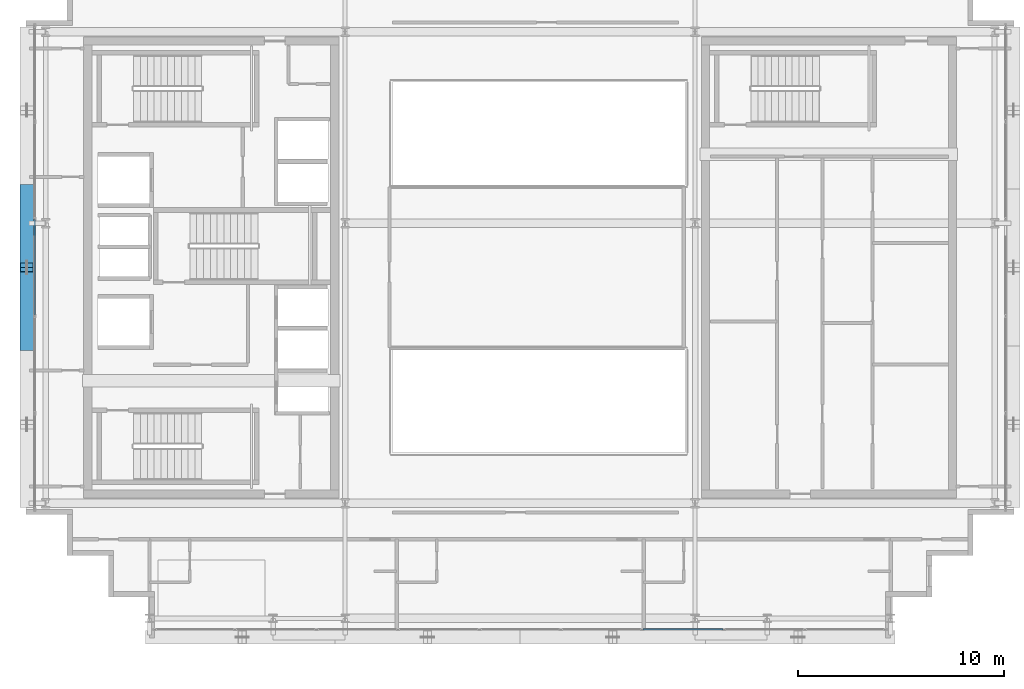
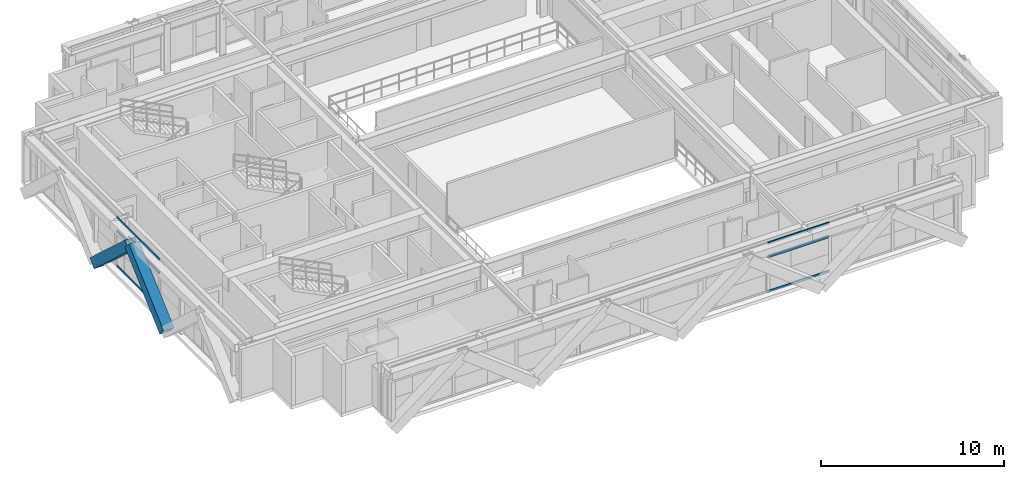
# One storey, part 6 of 28: 8 members, 2 elements without a shape of their own.
"""IFC4 building model written with IfcOpenShell, lengths in metres."""

from ifc_helpers import new_model, si_unit, direction, frame, origin, origin_2d, place, context, subcontext, project, spatial, hollow_rectangle, extrude, source, transform, mapped, material, layer, layer_set, material_profile, profile_set, type_object, element, aggregate, save


model = new_model("IFC4")

# Units and contexts
model_context = context("Model", 3, precision=1e-05, world=origin(), true_north=direction((0.0, 1.0)))
body_context = subcontext(model_context, "Body", "Model", "MODEL_VIEW")
ifc_project = project(units=[si_unit("LENGTHUNIT", "METRE"), si_unit("AREAUNIT", "SQUARE_METRE"), si_unit("VOLUMEUNIT", "CUBIC_METRE"), si_unit("PLANEANGLEUNIT", "RADIAN"), si_unit("MASSUNIT", "GRAM", prefix="KILO")], contexts=[model_context])

# Site, building, storey
site_placement = place(None, origin())
site = spatial("IfcSite", under=ifc_project, at=site_placement, CompositionType="ELEMENT")
building_placement = place(site_placement, origin())
building = spatial("IfcBuilding", under=site, at=building_placement, Name="Ocotamira Hotel", CompositionType="ELEMENT")
storey_placement = place(building_placement, frame((0.0, 0.0, 243.60009765625)))
storey = spatial("IfcBuildingStorey", under=building, at=storey_placement, Name="L61", CompositionType="ELEMENT", Elevation=243.60009765625)

# Members
ifc_material_1 = material(Name="Pale-metal coated steel ASTM A913 Grade 65", Category="steel")
ifc_material_profile_1 = material_profile(ifc_material_1, hollow_rectangle(XDim=0.64990234375, YDim=0.64990234375, WallThickness=0.02197265625, at=origin_2d()), Name="BOX650X650X22")
ifc_profile_set_1 = profile_set([ifc_material_profile_1], Name="Pale-metal coated steel ASTM A913 Grade 65")
member_type_1 = type_object("IfcMemberType", Name="MEM-EXO-BOX650", PredefinedType="BRACE", material=ifc_profile_set_1)
shared_shape_1 = source(origin(), body_context, "Body", "SweptSolid", [
    extrude(hollow_rectangle(XDim=0.64990234375, YDim=0.64990234375, WallThickness=0.02197265625, at=origin_2d()), origin(), (0.0, 0.0, 1.0), 5.178466796875),
])
for number, where, z_axis, x_axis, name in (
    (1, (8.030029296875, 22.183349609375, -0.47021484375), (0.0, 0.737019094846, 0.675871921174), (-1.0, 0.0, 0.0), "L61 Exoskeleton Diagrid W1.1"),
    (2, (8.030029296875, 29.816650390625, -0.47021484375), (0.0, -0.737019094846, 0.675871921174), (1.0, 0.0, 0.0), "L61 Exoskeleton Diagrid W1.2"),
):
    element("IfcMember", number, at=place(storey_placement, frame(where, z_axis=z_axis, x_axis=x_axis)), inside=storey, type_object=member_type_1, Name=name, PredefinedType="BRACE", context=body_context, shape_type="MappedRepresentation", body=[
        mapped(shared_shape_1, transform((0.0, 0.0, 0.0), scale=1.0)),
    ])

# Curtain wall, members
ifc_material_2 = material(Name="Anodised pale-metal aluminium and solar glass", Category="aluminium")
ifc_layer = layer(ifc_material_2, 0.239990234375)
ifc_layer_set = layer_set([ifc_layer], Name="Anodised pale-metal aluminium and solar glass")
curtain_wall_type = type_object("IfcCurtainWallType", Name="CW-SYS5-SKY", PredefinedType="NOTDEFINED", material=ifc_layer_set)
curtain_wall_1_placement = place(storey_placement, origin())
curtain_wall_1 = element("IfcCurtainWall", 3, at=curtain_wall_1_placement, inside=storey, type_object=curtain_wall_type, Name="L61 Curtain Wall CW-5 CW-L61-S1", PredefinedType="NOTDEFINED")
ifc_material_3 = material(Name="Anodised pale-metal aluminium 6063-T6", Category="aluminium")
ifc_material_profile_2 = material_profile(ifc_material_3, hollow_rectangle(XDim=0.074951171875, YDim=0.14990234375, WallThickness=0.006103515625, at=origin_2d()), Name="HSS150X75X6")
ifc_profile_set_2 = profile_set([ifc_material_profile_2], Name="Anodised pale-metal aluminium 6063-T6")
member_type_2 = type_object("IfcMemberType", Name="CWT-150X75", PredefinedType="USERDEFINED", material=ifc_profile_set_2)
shared_shape_2 = source(origin(), body_context, "Body", "SweptSolid", [
    extrude(hollow_rectangle(XDim=0.074951171875, YDim=0.14990234375, WallThickness=0.006103515625, at=origin_2d()), origin(), (0.0, 0.0, 1.0), 3.87548828125),
])
member_1_placement = place(storey_placement, frame((37.973388671875, 8.419921875, 0.037353515625), z_axis=(1.0, 0.0, 0.0), x_axis=(0.0, 1.0, 0.0)))
member_1 = element("IfcMember", 4, at=member_1_placement, type_object=member_type_2, Name="CW-5 transom 7.1", ObjectType="TRANSOM", PredefinedType="USERDEFINED", context=body_context, shape_type="MappedRepresentation", body=[
    mapped(shared_shape_2, transform((0.0, 0.0, 0.0), scale=1.0)),
])
member_2_placement = place(storey_placement, frame((37.973388671875, 8.419921875, 2.349853515625), z_axis=(1.0, 0.0, 0.0), x_axis=(0.0, 1.0, 0.0)))
member_2 = element("IfcMember", 5, at=member_2_placement, type_object=member_type_2, Name="CW-5 transom 7.2", ObjectType="TRANSOM", PredefinedType="USERDEFINED", context=body_context, shape_type="MappedRepresentation", body=[
    mapped(shared_shape_2, transform((0.0, 0.0, 0.0), scale=1.0)),
])
member_3_placement = place(storey_placement, frame((37.973388671875, 8.419921875, 3.242431640625), z_axis=(1.0, 0.0, 0.0), x_axis=(0.0, 1.0, 0.0)))
member_3 = element("IfcMember", 6, at=member_3_placement, type_object=member_type_2, Name="CW-5 transom 7.3", ObjectType="TRANSOM", PredefinedType="USERDEFINED", context=body_context, shape_type="MappedRepresentation", body=[
    mapped(shared_shape_2, transform((0.0, 0.0, 0.0), scale=1.0)),
])
aggregate(curtain_wall_1, [member_1, member_2, member_3])

curtain_wall_2_placement = place(storey_placement, origin())
curtain_wall_2 = element("IfcCurtainWall", 7, at=curtain_wall_2_placement, inside=storey, type_object=curtain_wall_type, Name="L61 Curtain Wall CW-5 CW-L61-W", PredefinedType="NOTDEFINED")
shared_shape_3 = source(origin(), body_context, "Body", "SweptSolid", [
    extrude(hollow_rectangle(XDim=0.074951171875, YDim=0.14990234375, WallThickness=0.006103515625, at=origin_2d()), origin(), (0.0, 0.0, 1.0), 4.64013671875),
])
member_4_placement = place(storey_placement, frame((8.419921875, 23.679931640625, 0.037353515625), z_axis=(0.0, 1.0, 0.0), x_axis=(-1.0, 0.0, 0.0)))
member_4 = element("IfcMember", 8, at=member_4_placement, type_object=member_type_2, Name="CW-5 transom 3.1", ObjectType="TRANSOM", PredefinedType="USERDEFINED", context=body_context, shape_type="MappedRepresentation", body=[
    mapped(shared_shape_3, transform((0.0, 0.0, 0.0), scale=1.0)),
])
member_5_placement = place(storey_placement, frame((8.419921875, 23.679931640625, 2.349853515625), z_axis=(0.0, 1.0, 0.0), x_axis=(-1.0, 0.0, 0.0)))
member_5 = element("IfcMember", 9, at=member_5_placement, type_object=member_type_2, Name="CW-5 transom 3.2", ObjectType="TRANSOM", PredefinedType="USERDEFINED", context=body_context, shape_type="MappedRepresentation", body=[
    mapped(shared_shape_3, transform((0.0, 0.0, 0.0), scale=1.0)),
])
member_6_placement = place(storey_placement, frame((8.419921875, 23.679931640625, 3.242431640625), z_axis=(0.0, 1.0, 0.0), x_axis=(-1.0, 0.0, 0.0)))
member_6 = element("IfcMember", 10, at=member_6_placement, type_object=member_type_2, Name="CW-5 transom 3.3", ObjectType="TRANSOM", PredefinedType="USERDEFINED", context=body_context, shape_type="MappedRepresentation", body=[
    mapped(shared_shape_3, transform((0.0, 0.0, 0.0), scale=1.0)),
])
aggregate(curtain_wall_2, [member_4, member_5, member_6])

save(model, "model.ifc")
